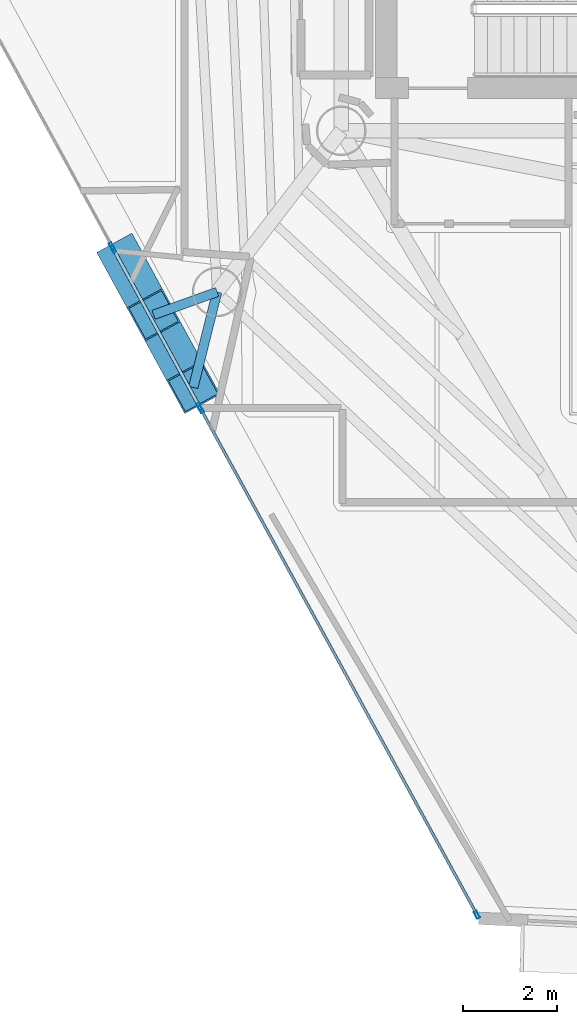
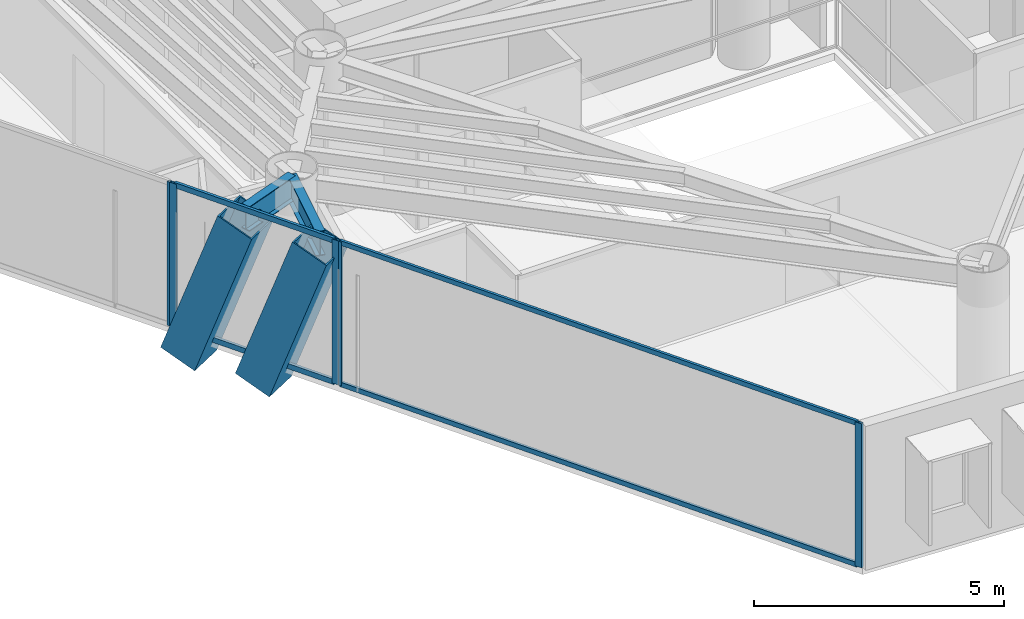
# One storey, part 2 of 19: 11 members, 2 beams, 3 elements without a shape of their own.
"""IFC4 building model written with IfcOpenShell, lengths in metres."""

import ifcopenshell
import ifcopenshell.guid

model = None  # the IFC model being written
_history = None  # IfcOwnerHistory: only IFC2X3 demands one
_inside = {}  # id of a spatial element -> (the spatial element, [elements in it])
_under = {}  # id of a project, library or spatial element -> (it, [spatial elements below it])
_declared = {}  # id of a project -> (the project, [libraries it declares])
_typed = {}  # id of a type object -> (the type object, [elements of that type])
_made_of = {}  # id of a material, layer set ... -> (it, [elements and type objects made of it])


def new_model(schema):
    """Start an empty IFC model of exactly this schema.

    Asked for "IFC4X3", IfcOpenShell would pick the latest addendum, in which some entities
    have other attributes; the version numbers below select the first issue.
    IFC2X3 requires an IfcOwnerHistory on every rooted entity: one is made here for all.
    """
    global model, _history
    if schema == "IFC4X3":
        model = ifcopenshell.file(schema_version=(4, 3, 0, 0))
    else:
        model = ifcopenshell.file(schema=schema)
    _inside.clear()
    _under.clear()
    _declared.clear()
    _typed.clear()
    _made_of.clear()
    _history = None
    if model.schema == "IFC2X3":
        org = make("IfcOrganization", Name="unknown")
        user = make(
            "IfcPersonAndOrganization",
            ThePerson=make("IfcPerson", FamilyName="unknown"),
            TheOrganization=org,
        )
        app = make(
            "IfcApplication",
            ApplicationDeveloper=org,
            Version="unknown",
            ApplicationFullName="unknown",
            ApplicationIdentifier="unknown",
        )
        _history = make(
            "IfcOwnerHistory",
            OwningUser=user,
            OwningApplication=app,
            ChangeAction="ADDED",
            CreationDate=0,
        )
    return model


def make(cls, **values):
    """One entity of the class cls with the attributes given. An attribute that is None is left unset."""
    return model.create_entity(
        cls, **{name: value for name, value in values.items() if value is not None}
    )


def rooted(cls, **values):
    """An entity with a GlobalId (a new one), such as an element, a storey or a relation."""
    return make(cls, GlobalId=ifcopenshell.guid.new(), OwnerHistory=_history, **values)


def si_unit(unit_type, name, prefix=None):
    """IfcSIUnit, for example si_unit("LENGTHUNIT", "METRE", prefix="MILLI")."""
    return make("IfcSIUnit", UnitType=unit_type, Prefix=prefix, Name=name)


def assignment(units):
    """IfcUnitAssignment: the units of a project."""
    return None if units is None else make("IfcUnitAssignment", Units=units)


def point(xyz):
    """IfcCartesianPoint."""
    return None if xyz is None else make("IfcCartesianPoint", Coordinates=xyz)


def direction(xyz):
    """IfcDirection."""
    return None if xyz is None else make("IfcDirection", DirectionRatios=xyz)


def frame(location, z_axis=None, x_axis=None):
    """IfcAxis2Placement3D, a coordinate frame: its origin and axes. An axis left out is left unset."""
    return make(
        "IfcAxis2Placement3D",
        Location=point(location),
        Axis=direction(z_axis),
        RefDirection=direction(x_axis),
    )


def frame_2d(location, x_axis=None):
    """IfcAxis2Placement2D, a coordinate frame in the plane: its origin and x axis."""
    return make(
        "IfcAxis2Placement2D", Location=point(location), RefDirection=direction(x_axis)
    )


def origin():
    """The frame at (0, 0, 0) with its axes left unset."""
    return frame((0.0, 0.0, 0.0))


def origin_2d():
    """The frame at (0, 0) in the plane with its x axis left unset."""
    return frame_2d((0.0, 0.0))


def place(relative_to, where):
    """IfcLocalPlacement: puts the frame where relative to a parent placement (None: the world)."""
    return make(
        "IfcLocalPlacement", PlacementRelTo=relative_to, RelativePlacement=where
    )


def context(
    kind, dimensions, precision=None, world=None, true_north=None, identifier=None
):
    """IfcGeometricRepresentationContext, for example the 3D "Model" context."""
    return make(
        "IfcGeometricRepresentationContext",
        ContextIdentifier=identifier,
        ContextType=kind,
        CoordinateSpaceDimension=dimensions,
        Precision=precision,
        WorldCoordinateSystem=world,
        TrueNorth=true_north,
    )


def subcontext(parent, identifier, kind, view, scale=None):
    """IfcGeometricRepresentationSubContext, for example "Body" below "Model"."""
    return make(
        "IfcGeometricRepresentationSubContext",
        ContextIdentifier=identifier,
        ContextType=kind,
        ParentContext=parent,
        TargetScale=scale,
        TargetView=view,
    )


def project(units=None, contexts=None):
    """IfcProject with its units and contexts."""
    return rooted(
        "IfcProject",
        Name="project",
        RepresentationContexts=contexts,
        UnitsInContext=assignment(units),
    )


def spatial(cls, under=None, at=None, **own):
    """A site, building, storey or space (cls), placed at a placement, below another one or the project."""
    s = rooted(cls, ObjectPlacement=at, **own)
    if under is not None:
        _under.setdefault(under.id(), (under, []))[1].append(s)
    return s


def profile(cls, at=None, kind="AREA", **sizes):
    """A parametric profile (cls). Its sizes go by their IFC names, for example OverallWidth=200.0."""
    return make(cls, ProfileType=kind, Position=at, **sizes)


def hollow_rectangle(**sizes):
    """IfcRectangleHollowProfileDef."""
    return profile("IfcRectangleHollowProfileDef", **sizes)


def i_section(**sizes):
    """IfcIShapeProfileDef."""
    return profile("IfcIShapeProfileDef", **sizes)


def extrude(swept, where, along, depth):
    """IfcExtrudedAreaSolid: the profile swept, set in the frame where, extruded along a direction by depth."""
    return make(
        "IfcExtrudedAreaSolid",
        SweptArea=swept,
        Position=where,
        ExtrudedDirection=direction(along),
        Depth=depth,
    )


def shape(context_of_items, identifier, shape_type, items):
    """IfcShapeRepresentation: the items that make up one representation, for example the "Body"."""
    return make(
        "IfcShapeRepresentation",
        ContextOfItems=context_of_items,
        RepresentationIdentifier=identifier,
        RepresentationType=shape_type,
        Items=items,
    )


def material(Name=None, Category=None):
    """IfcMaterial."""
    return make("IfcMaterial", Name=Name, Category=Category)


def layer(
    of_material, thickness, ventilated=None, Name=None, Category=None, Priority=None
):
    """IfcMaterialLayer: one layer of a wall or slab, of a material (None: an air gap)."""
    return make(
        "IfcMaterialLayer",
        Material=of_material,
        LayerThickness=thickness,
        IsVentilated=ventilated,
        Name=Name,
        Category=Category,
        Priority=Priority,
    )


def layer_set(layers, Name=None):
    """IfcMaterialLayerSet."""
    return make("IfcMaterialLayerSet", MaterialLayers=layers, LayerSetName=Name)


def material_profile(
    of_material, cross_section, Name=None, Category=None, Priority=None
):
    """IfcMaterialProfile: a cross section and its material."""
    return make(
        "IfcMaterialProfile",
        Name=Name,
        Material=of_material,
        Profile=cross_section,
        Priority=Priority,
        Category=Category,
    )


def profile_set(profiles, Name=None, composite=None):
    """IfcMaterialProfileSet."""
    return make(
        "IfcMaterialProfileSet",
        Name=Name,
        MaterialProfiles=profiles,
        CompositeProfile=composite,
    )


def made_of(thing, what):
    """Note that an element or type object is made of a material, layer set ...; save() writes the relation."""
    if what is not None:
        _made_of.setdefault(what.id(), (what, []))[1].append(thing)
    return thing


def type_object(cls, material=None, **own):
    """A type object (cls), such as IfcWallType, which elements share."""
    return made_of(rooted(cls, **own), material)


def element(
    cls,
    number,
    at=None,
    inside=None,
    cuts=None,
    type_object=None,
    material=None,
    context=None,
    identifier="Body",
    shape_type=None,
    held_by="IfcProductDefinitionShape",
    body=None,
    shapes=None,
    **own,
):
    """One element of the class cls, such as IfcWall. Its Tag is "e" and its number.

    at: its placement. inside: the storey or other place that contains it. cuts: it is an
    opening in that element (IfcRelVoidsElement). A single representation is given by context,
    identifier, shape_type and body (its items); several are given by shapes. held_by: the class
    of the entity that holds the representations. save() writes the other relations.
    """
    e = rooted(cls, Tag="e%d" % number, ObjectPlacement=at, **own)
    if body is not None:
        shapes = [shape(context, identifier, shape_type, body)]
    if shapes is not None:
        e.Representation = make(held_by, Representations=shapes)
    if inside is not None:
        _inside.setdefault(inside.id(), (inside, []))[1].append(e)
    if cuts is not None:
        rooted(
            "IfcRelVoidsElement", RelatingBuildingElement=cuts, RelatedOpeningElement=e
        )
    if type_object is not None:
        _typed.setdefault(type_object.id(), (type_object, []))[1].append(e)
    return made_of(e, material)


def aggregate(whole, parts):
    """IfcRelAggregates: a whole, such as a stair, and the parts it consists of."""
    return rooted("IfcRelAggregates", RelatingObject=whole, RelatedObjects=parts)


def save(model, path):
    """Write the relations noted so far, then the file.

    IfcRelAggregates (storeys below a building ...), IfcRelContainedInSpatialStructure (elements
    in a storey), IfcRelDefinesByType, IfcRelAssociatesMaterial and IfcRelDeclares: one each for
    every whole, place, type object, material and project.
    """
    for whole, parts in _under.values():
        aggregate(whole, parts)
    for where, things in _inside.values():
        rooted(
            "IfcRelContainedInSpatialStructure",
            RelatedElements=things,
            RelatingStructure=where,
        )
    for kind, things in _typed.values():
        rooted("IfcRelDefinesByType", RelatedObjects=things, RelatingType=kind)
    for what, things in _made_of.values():
        rooted("IfcRelAssociatesMaterial", RelatedObjects=things, RelatingMaterial=what)
    for by, libraries in _declared.values():
        rooted("IfcRelDeclares", RelatingContext=by, RelatedDefinitions=libraries)
    model.write(path)


model = new_model("IFC4")

# Units and contexts
model_context = context("Model", 3, precision=1e-05, world=origin(), true_north=direction((0.0, 1.0)))
body_context = subcontext(model_context, "Body", "Model", "MODEL_VIEW")
ifc_project = project(units=[si_unit("LENGTHUNIT", "METRE"), si_unit("AREAUNIT", "SQUARE_METRE"), si_unit("VOLUMEUNIT", "CUBIC_METRE"), si_unit("PLANEANGLEUNIT", "RADIAN"), si_unit("MASSUNIT", "GRAM", prefix="KILO")], contexts=[model_context])

# Site, building, storey
site_placement = place(None, origin())
site = spatial("IfcSite", under=ifc_project, at=site_placement, CompositionType="ELEMENT")
building_placement = place(site_placement, origin())
building = spatial("IfcBuilding", under=site, at=building_placement, Name="Qianvela Tower", CompositionType="ELEMENT")
storey_placement = place(building_placement, frame((0.0, 0.0, 268.60009765625)))
storey = spatial("IfcBuildingStorey", under=building, at=storey_placement, Name="L69", CompositionType="ELEMENT", Elevation=268.60009765625)

# Beams
ifc_material_1 = material(Name="Steel Q355B", Category="steel")
ifc_material_profile_1 = material_profile(ifc_material_1, i_section(OverallWidth=0.199951171875, OverallDepth=0.60009765625, WebThickness=0.010986328125, FlangeThickness=0.01708984375, at=origin_2d()), Name="HN600x200x11x17")
ifc_profile_set_1 = profile_set([ifc_material_profile_1], Name="Steel Q355B")
beam_type = type_object("IfcBeamType", Name="BM-HN600-GIRD", PredefinedType="BEAM", material=ifc_profile_set_1)
beam_1_placement = place(storey_placement, frame((25.971923828125, 20.43701171875, 3.218017578125), z_axis=(-0.940874364598, -0.338755708501, 0.0), x_axis=(0.338755708501, -0.940874364598, 0.0)))
element("IfcBeam", 1, at=beam_1_placement, inside=storey, type_object=beam_type, Name="L69 Mega-Brace Column Tie Bracket F2-1", PredefinedType="BEAM", context=body_context, shape_type="SweptSolid", body=[
    extrude(i_section(OverallWidth=0.199951171875, OverallDepth=0.60009765625, WebThickness=0.010986328125, FlangeThickness=0.01708984375, at=origin_2d()), origin(), (0.0, 0.0, 1.0), 1.431396484375),
])
beam_2_placement = place(storey_placement, frame((25.971923828125, 20.43701171875, 3.218017578125), z_axis=(-0.242921249814, -0.970046012511, 0.0), x_axis=(0.970046012511, -0.242921249814, 0.0)))
element("IfcBeam", 2, at=beam_2_placement, inside=storey, type_object=beam_type, Name="L69 Mega-Brace Column Tie Bracket F2-2", PredefinedType="BEAM", context=body_context, shape_type="SweptSolid", body=[
    extrude(i_section(OverallWidth=0.199951171875, OverallDepth=0.60009765625, WebThickness=0.010986328125, FlangeThickness=0.01708984375, at=origin_2d()), origin(), (0.0, 0.0, 1.0), 2.08544921875),
])

# Curtain wall, members
ifc_material_2 = material(Name="Anodised Architectural Aluminium and Insulated Spandrel Panel", Category="aluminium")
ifc_layer_1 = layer(ifc_material_2, 0.179931640625)
ifc_layer_set_1 = layer_set([ifc_layer_1], Name="Anodised Architectural Aluminium and Insulated Spandrel Panel")
curtain_wall_type_1 = type_object("IfcCurtainWallType", Name="CW-BRACEBAY", PredefinedType="USERDEFINED", material=ifc_layer_set_1)
curtain_wall_1_placement = place(storey_placement, origin())
curtain_wall_1 = element("IfcCurtainWall", 3, at=curtain_wall_1_placement, inside=storey, type_object=curtain_wall_type_1, Name="L69 CW-BRACEBAY Curtain Wall 04B", ObjectType="CURTAIN_WALL_SYSTEM", PredefinedType="USERDEFINED")
ifc_material_3 = material(Name="Anodised Architectural Aluminium 6063-T6", Category="aluminium")
ifc_material_profile_2 = material_profile(ifc_material_3, hollow_rectangle(XDim=0.06494140625, YDim=0.159912109375, WallThickness=0.0048828125, at=origin_2d()), Name="ALU-MULL-65x160")
ifc_profile_set_2 = profile_set([ifc_material_profile_2], Name="Anodised Architectural Aluminium 6063-T6")
member_type_1 = type_object("IfcMemberType", Name="CW-BRACEBAY-MULL", PredefinedType="MULLION", material=ifc_profile_set_2)
member_1_placement = place(storey_placement, frame((23.771484375, 21.3486328125, 0.0), z_axis=(0.0, 0.0, 1.0), x_axis=(0.877649567398, 0.479302865469, 0.0)))
member_1 = element("IfcMember", 4, at=member_1_placement, type_object=member_type_1, Name="CW-9 mullion 1", PredefinedType="MULLION", context=body_context, shape_type="SweptSolid", body=[
    extrude(hollow_rectangle(XDim=0.06494140625, YDim=0.159912109375, WallThickness=0.0048828125, at=origin_2d()), origin(), (0.0, 0.0, 1.0), 3.52001953125),
])
member_2_placement = place(storey_placement, frame((25.59521484375, 18.00927734375, 0.0), z_axis=(0.0, 0.0, 1.0), x_axis=(0.877649567398, 0.479302865469, 0.0)))
member_2 = element("IfcMember", 5, at=member_2_placement, type_object=member_type_1, Name="CW-9 mullion 2", PredefinedType="MULLION", context=body_context, shape_type="SweptSolid", body=[
    extrude(hollow_rectangle(XDim=0.06494140625, YDim=0.159912109375, WallThickness=0.0048828125, at=origin_2d()), origin(), (0.0, 0.0, 1.0), 3.52001953125),
])
ifc_material_4 = material(Name="Anodised Architectural Aluminium 6063-T6", Category="aluminium")
ifc_material_profile_3 = material_profile(ifc_material_4, hollow_rectangle(XDim=0.06494140625, YDim=0.1298828125, WallThickness=0.00439453125, at=origin_2d()), Name="ALU-TRAN-65x130")
ifc_profile_set_3 = profile_set([ifc_material_profile_3], Name="Anodised Architectural Aluminium 6063-T6")
member_type_2 = type_object("IfcMemberType", Name="CW-BRACEBAY-TRAN", PredefinedType="USERDEFINED", material=ifc_profile_set_3)
member_3_placement = place(storey_placement, frame((23.787109375, 21.320068359375, 0.032470703125), z_axis=(0.479350592621, -0.877623500912, 0.0), x_axis=(0.877623500912, 0.479350592621, 0.0)))
member_3 = element("IfcMember", 6, at=member_3_placement, type_object=member_type_2, Name="CW-9 transom 1.1", ObjectType="TRANSOM", PredefinedType="USERDEFINED", context=body_context, shape_type="SweptSolid", body=[
    extrude(hollow_rectangle(XDim=0.06494140625, YDim=0.1298828125, WallThickness=0.00439453125, at=origin_2d()), origin(), (0.0, 0.0, 1.0), 3.739990234375),
])
member_4_placement = place(storey_placement, frame((23.787109375, 21.320068359375, 3.4873046875), z_axis=(0.479350592621, -0.877623500912, 0.0), x_axis=(0.877623500912, 0.479350592621, 0.0)))
member_4 = element("IfcMember", 7, at=member_4_placement, type_object=member_type_2, Name="CW-9 transom 1.2", ObjectType="TRANSOM", PredefinedType="USERDEFINED", context=body_context, shape_type="SweptSolid", body=[
    extrude(hollow_rectangle(XDim=0.06494140625, YDim=0.1298828125, WallThickness=0.00439453125, at=origin_2d()), origin(), (0.0, 0.0, 1.0), 3.739990234375),
])
aggregate(curtain_wall_1, [member_1, member_2, member_3, member_4])

# Curtain wall, member
ifc_material_5 = material(Name="Anodised Architectural Aluminium and Low-E Glass", Category="aluminium")
ifc_layer_2 = layer(ifc_material_5, 0.159912109375)
ifc_layer_set_2 = layer_set([ifc_layer_2], Name="Anodised Architectural Aluminium and Low-E Glass")
curtain_wall_type_2 = type_object("IfcCurtainWallType", Name="CW-COLIV-Z56", PredefinedType="USERDEFINED", material=ifc_layer_set_2)
curtain_wall_2_placement = place(storey_placement, origin())
curtain_wall_2 = element("IfcCurtainWall", 8, at=curtain_wall_2_placement, inside=storey, type_object=curtain_wall_type_2, Name="L69 CW-COLIV-Z56 Curtain Wall 04A", ObjectType="CURTAIN_WALL_SYSTEM", PredefinedType="USERDEFINED")
ifc_material_6 = material(Name="Anodised Architectural Aluminium 6063-T6", Category="aluminium")
ifc_material_profile_4 = material_profile(ifc_material_6, hollow_rectangle(XDim=0.06494140625, YDim=0.159912109375, WallThickness=0.0048828125, at=origin_2d()), Name="ALU-MULL-65x160")
ifc_profile_set_4 = profile_set([ifc_material_profile_4], Name="Anodised Architectural Aluminium 6063-T6")
member_type_3 = type_object("IfcMemberType", Name="CW-COLIV-Z56-MULL", PredefinedType="MULLION", material=ifc_profile_set_4)
member_5_placement = place(storey_placement, frame((23.740478515625, 21.40576171875, 0.0), z_axis=(0.0, 0.0, 1.0), x_axis=(0.877647460577, 0.479306723241, 0.0)))
member_5 = element("IfcMember", 9, at=member_5_placement, type_object=member_type_3, Name="CW-5 mullion 2", PredefinedType="MULLION", context=body_context, shape_type="SweptSolid", body=[
    extrude(hollow_rectangle(XDim=0.06494140625, YDim=0.159912109375, WallThickness=0.0048828125, at=origin_2d()), origin(), (0.0, 0.0, 1.0), 3.52001953125),
])
aggregate(curtain_wall_2, [member_5])

# Curtain wall, members
curtain_wall_3_placement = place(storey_placement, origin())
curtain_wall_3 = element("IfcCurtainWall", 10, at=curtain_wall_3_placement, inside=storey, type_object=curtain_wall_type_2, Name="L69 CW-COLIV-Z56 Curtain Wall 04C", ObjectType="CURTAIN_WALL_SYSTEM", PredefinedType="USERDEFINED")
member_6_placement = place(storey_placement, frame((25.62646484375, 17.9521484375, 0.0), z_axis=(0.0, 0.0, 1.0), x_axis=(0.877649415599, 0.479303143427, 0.0)))
member_6 = element("IfcMember", 11, at=member_6_placement, type_object=member_type_3, Name="CW-5 mullion 1", PredefinedType="MULLION", context=body_context, shape_type="SweptSolid", body=[
    extrude(hollow_rectangle(XDim=0.06494140625, YDim=0.159912109375, WallThickness=0.0048828125, at=origin_2d()), origin(), (0.0, 0.0, 1.0), 3.52001953125),
])
member_7_placement = place(storey_placement, frame((31.476806640625, 7.23974609375, 0.0), z_axis=(0.0, 0.0, 1.0), x_axis=(0.877649415599, 0.479303143427, 0.0)))
member_7 = element("IfcMember", 12, at=member_7_placement, type_object=member_type_3, Name="CW-5 mullion 2", PredefinedType="MULLION", context=body_context, shape_type="SweptSolid", body=[
    extrude(hollow_rectangle(XDim=0.06494140625, YDim=0.159912109375, WallThickness=0.0048828125, at=origin_2d()), origin(), (0.0, 0.0, 1.0), 3.52001953125),
])
ifc_material_7 = material(Name="Anodised Architectural Aluminium 6063-T6", Category="aluminium")
ifc_material_profile_5 = material_profile(ifc_material_7, hollow_rectangle(XDim=0.06005859375, YDim=0.114990234375, WallThickness=0.00390625, at=origin_2d()), Name="ALU-TRAN-60x115")
ifc_profile_set_5 = profile_set([ifc_material_profile_5], Name="Anodised Architectural Aluminium 6063-T6")
member_type_4 = type_object("IfcMemberType", Name="CW-COLIV-Z56-TRAN", PredefinedType="USERDEFINED", material=ifc_profile_set_5)
member_8_placement = place(storey_placement, frame((25.64208984375, 17.923583984375, 0.02978515625), z_axis=(0.479304333474, -0.877648765687, 0.0), x_axis=(0.877648765687, 0.479304333474, 0.0)))
member_8 = element("IfcMember", 13, at=member_8_placement, type_object=member_type_4, Name="CW-5 transom 1.1", ObjectType="TRANSOM", PredefinedType="USERDEFINED", context=body_context, shape_type="SweptSolid", body=[
    extrude(hollow_rectangle(XDim=0.06005859375, YDim=0.114990234375, WallThickness=0.00390625, at=origin_2d()), origin(), (0.0, 0.0, 1.0), 12.140625),
])
member_9_placement = place(storey_placement, frame((25.64208984375, 17.923583984375, 3.489990234375), z_axis=(0.479304333474, -0.877648765687, 0.0), x_axis=(0.877648765687, 0.479304333474, 0.0)))
member_9 = element("IfcMember", 14, at=member_9_placement, type_object=member_type_4, Name="CW-5 transom 1.2", ObjectType="TRANSOM", PredefinedType="USERDEFINED", context=body_context, shape_type="SweptSolid", body=[
    extrude(hollow_rectangle(XDim=0.06005859375, YDim=0.114990234375, WallThickness=0.00390625, at=origin_2d()), origin(), (0.0, 0.0, 1.0), 12.140625),
])
aggregate(curtain_wall_3, [member_6, member_7, member_8, member_9])

# Members
ifc_material_8 = material(Name="Steel Q420GJC", Category="steel")
ifc_material_profile_6 = material_profile(ifc_material_8, hollow_rectangle(XDim=0.85009765625, YDim=0.85009765625, WallThickness=0.031982421875, at=origin_2d()), Name="MBOX-850x850x32")
ifc_profile_set_6 = profile_set([ifc_material_profile_6], Name="Steel Q420GJC")
member_type_5 = type_object("IfcMemberType", Name="MBR-MBRACE-850", PredefinedType="BRACE", material=ifc_profile_set_6)
for number, where, z_axis, x_axis, name in (
    (15, (23.984619140625, 21.12548828125, -0.482177734375), (0.162831504299, -0.298234835999, 0.940500868582), (0.877700078462, 0.479210363272, 0.0), "L69 Tier 11 Exterior Mega-Brace F2A"),
    (16, (24.824462890625, 19.587646484375, -0.482177734375), (0.16288889796, -0.298288355236, 0.940473957137), (0.877665210464, 0.479274220401, 0.0), "L69 Tier 11 Exterior Mega-Brace F2B"),
):
    element("IfcMember", number, at=place(storey_placement, frame(where, z_axis=z_axis, x_axis=x_axis)), inside=storey, type_object=member_type_5, Name=name, PredefinedType="BRACE", context=body_context, shape_type="SweptSolid", body=[
        extrude(hollow_rectangle(XDim=0.85009765625, YDim=0.85009765625, WallThickness=0.031982421875, at=origin_2d()), origin(), (0.0, 0.0, 1.0), 3.934326171875),
    ])

save(model, "model.ifc")
